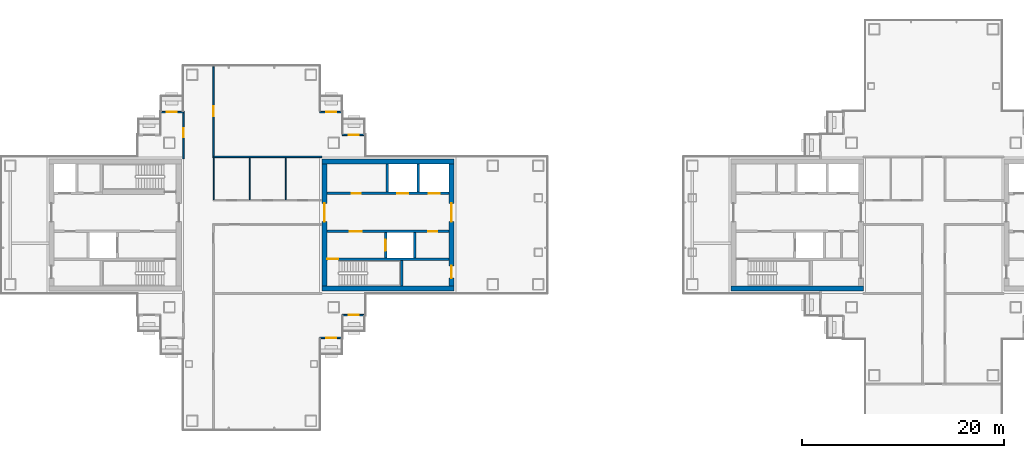
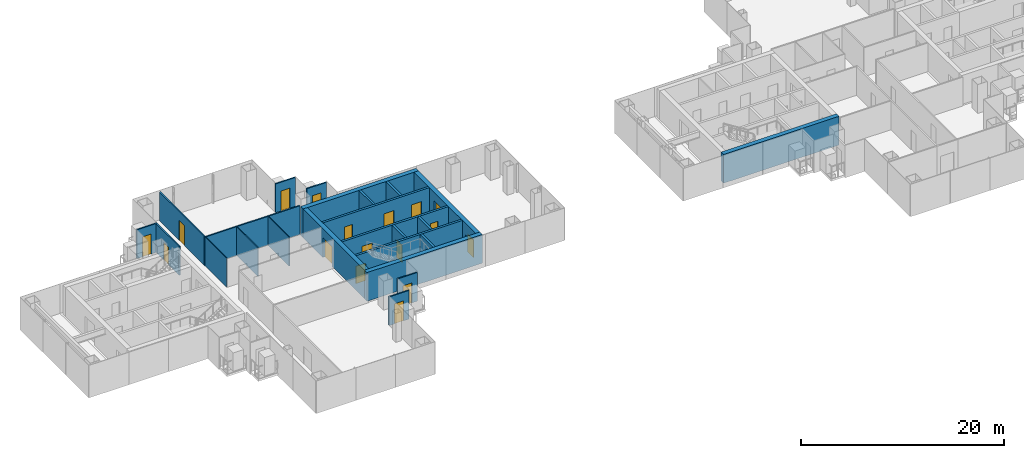
# One storey, part 10 of 17: 24 walls, 17 doors, 17 openings.
"""IFC4 building model written with IfcOpenShell, lengths in metres."""

from ifc_helpers import new_model, si_unit, direction, frame, frame_2d, origin, place, context, subcontext, project, spatial, rectangle, extrude, material, layer, layer_set, type_object, element, fill, save


model = new_model("IFC4")

# Units and contexts
model_context = context("Model", 3, precision=1e-05, world=origin(), true_north=direction((0.0, 1.0)))
body_context = subcontext(model_context, "Body", "Model", "MODEL_VIEW")
ifc_project = project(units=[si_unit("LENGTHUNIT", "METRE"), si_unit("AREAUNIT", "SQUARE_METRE"), si_unit("VOLUMEUNIT", "CUBIC_METRE"), si_unit("PLANEANGLEUNIT", "RADIAN"), si_unit("MASSUNIT", "GRAM", prefix="KILO")], contexts=[model_context])

# Site, building, storey
site_placement = place(None, origin())
site = spatial("IfcSite", under=ifc_project, at=site_placement, CompositionType="ELEMENT")
building_placement = place(site_placement, origin())
building = spatial("IfcBuilding", under=site, at=building_placement, Name="Shamsa Quay Exchange Towers", CompositionType="ELEMENT")
storey_placement = place(building_placement, frame((0.0, 0.0, 174.0)))
storey = spatial("IfcBuildingStorey", under=building, at=storey_placement, Name="L41", CompositionType="ELEMENT", Elevation=174.0)

# Wall, opening, door
ifc_material_1 = material(Name="Aluminium EN AW-6063 T6, black anodised, with black enamelled glass infill", Category="aluminium")
ifc_layer_1 = layer(ifc_material_1, 0.14990234375)
ifc_layer_set_1 = layer_set([ifc_layer_1], Name="BALCONY DOOR BAY WALL 150")
wall_type_1 = type_object("IfcWallType", Name="BALCONY DOOR BAY WALL 150", PredefinedType="SOLIDWALL", material=ifc_layer_set_1)
wall_1_placement = place(storey_placement, frame((-24.75, 8.925048828125, 0.0)))
wall_1 = element("IfcWall", 1, at=wall_1_placement, inside=storey, type_object=wall_type_1, Name="Door bay T1-PKEN L41", PredefinedType="SOLIDWALL", context=body_context, shape_type="SweptSolid", body=[
    extrude(rectangle(XDim=2.25, YDim=0.14990234375, at=frame_2d((1.125, 0.0))), origin(), (0.0, 0.0, 1.0), 3.449951171875),
])
opening_1_placement = place(wall_1_placement, frame((0.625, 0.0, 0.0)))
opening_1 = element("IfcOpeningElement", 2, at=opening_1_placement, cuts=wall_1, Name="Opening XD257", PredefinedType="OPENING", context=body_context, shape_type="SweptSolid", body=[
    extrude(rectangle(XDim=1.0, YDim=2.39990234375, at=frame_2d((0.5, 1.199951171875))), frame((0.0, 0.0849609375, 0.0), z_axis=(0.0, -1.0, 0.0), x_axis=(1.0, 0.0, 0.0)), (0.0, 0.0, 1.0), 0.169921875),
])
ifc_material_2 = material(Name="Aluminium EN AW-6063 T6, black anodised, with laminated glass leaf", Category="aluminium")
door_type_1 = type_object("IfcDoorType", Name="BALCONY DOOR 1000x2400", OperationType="SINGLE_SWING_LEFT", PredefinedType="DOOR", material=ifc_material_2)
door_1_placement = place(opening_1_placement, origin())
door_1 = element("IfcDoor", 3, at=door_1_placement, inside=storey, type_object=door_type_1, Name="Balcony door T1-PKEN L41", OperationType="SINGLE_SWING_RIGHT", OverallHeight=2.39990234375, OverallWidth=1.0, PredefinedType="DOOR", context=body_context, shape_type="SweptSolid", body=[
    extrude(rectangle(XDim=1.0, YDim=2.39990234375, at=frame_2d((0.5, 1.199951171875))), frame((0.0, 0.02490234375, 0.0), z_axis=(0.0, -1.0, 0.0), x_axis=(1.0, 0.0, 0.0)), (0.0, 0.0, 1.0), 0.050048828125),
])
fill(opening_1, door_1)

wall_2_placement = place(storey_placement, frame((-27.0, 11.175048828125, 0.0)))
wall_2 = element("IfcWall", 4, at=wall_2_placement, inside=storey, type_object=wall_type_1, Name="Door bay T1-PKEN L41", PredefinedType="SOLIDWALL", context=body_context, shape_type="SweptSolid", body=[
    extrude(rectangle(XDim=2.25, YDim=0.14990234375, at=frame_2d((1.125, 0.0))), origin(), (0.0, 0.0, 1.0), 3.449951171875),
])
opening_2_placement = place(wall_2_placement, frame((0.625, 0.0, 0.0)))
opening_2 = element("IfcOpeningElement", 5, at=opening_2_placement, cuts=wall_2, Name="Opening XD258", PredefinedType="OPENING", context=body_context, shape_type="SweptSolid", body=[
    extrude(rectangle(XDim=1.0, YDim=2.39990234375, at=frame_2d((0.5, 1.199951171875))), frame((0.0, 0.0849609375, 0.0), z_axis=(0.0, -1.0, 0.0), x_axis=(1.0, 0.0, 0.0)), (0.0, 0.0, 1.0), 0.169921875),
])
door_2_placement = place(opening_2_placement, origin())
door_2 = element("IfcDoor", 6, at=door_2_placement, inside=storey, type_object=door_type_1, Name="Balcony door T1-PKEN L41", OperationType="SINGLE_SWING_LEFT", OverallHeight=2.39990234375, OverallWidth=1.0, PredefinedType="DOOR", context=body_context, shape_type="SweptSolid", body=[
    extrude(rectangle(XDim=1.0, YDim=2.39990234375, at=frame_2d((0.5, 1.199951171875))), frame((0.0, 0.02490234375, 0.0), z_axis=(0.0, -1.0, 0.0), x_axis=(1.0, 0.0, 0.0)), (0.0, 0.0, 1.0), 0.050048828125),
])
fill(opening_2, door_2)

wall_3_placement = place(storey_placement, frame((-22.5, -8.925048828125, 0.0), z_axis=(0.0, 0.0, 1.0), x_axis=(-1.0, 0.0, 0.0)))
wall_3 = element("IfcWall", 7, at=wall_3_placement, inside=storey, type_object=wall_type_1, Name="Door bay T1-PKES L41", PredefinedType="SOLIDWALL", context=body_context, shape_type="SweptSolid", body=[
    extrude(rectangle(XDim=2.25, YDim=0.14990234375, at=frame_2d((1.125, 0.0))), origin(), (0.0, 0.0, 1.0), 3.449951171875),
])
opening_3_placement = place(wall_3_placement, frame((0.625, 0.0, 0.0)))
opening_3 = element("IfcOpeningElement", 8, at=opening_3_placement, cuts=wall_3, Name="Opening XD259", PredefinedType="OPENING", context=body_context, shape_type="SweptSolid", body=[
    extrude(rectangle(XDim=1.0, YDim=2.39990234375, at=frame_2d((0.5, 1.199951171875))), frame((0.0, 0.0849609375, 0.0), z_axis=(0.0, -1.0, 0.0), x_axis=(1.0, 0.0, 0.0)), (0.0, 0.0, 1.0), 0.169921875),
])
door_3_placement = place(opening_3_placement, origin())
door_3 = element("IfcDoor", 9, at=door_3_placement, inside=storey, type_object=door_type_1, Name="Balcony door T1-PKES L41", OperationType="SINGLE_SWING_RIGHT", OverallHeight=2.39990234375, OverallWidth=1.0, PredefinedType="DOOR", context=body_context, shape_type="SweptSolid", body=[
    extrude(rectangle(XDim=1.0, YDim=2.39990234375, at=frame_2d((0.5, 1.199951171875))), frame((0.0, 0.02490234375, 0.0), z_axis=(0.0, -1.0, 0.0), x_axis=(1.0, 0.0, 0.0)), (0.0, 0.0, 1.0), 0.050048828125),
])
fill(opening_3, door_3)

wall_4_placement = place(storey_placement, frame((-24.75, -11.175048828125, 0.0), z_axis=(0.0, 0.0, 1.0), x_axis=(-1.0, 0.0, 0.0)))
wall_4 = element("IfcWall", 10, at=wall_4_placement, inside=storey, type_object=wall_type_1, Name="Door bay T1-PKES L41", PredefinedType="SOLIDWALL", context=body_context, shape_type="SweptSolid", body=[
    extrude(rectangle(XDim=2.25, YDim=0.14990234375, at=frame_2d((1.125, 0.0))), origin(), (0.0, 0.0, 1.0), 3.449951171875),
])
opening_4_placement = place(wall_4_placement, frame((0.625, 0.0, 0.0)))
opening_4 = element("IfcOpeningElement", 11, at=opening_4_placement, cuts=wall_4, Name="Opening XD260", PredefinedType="OPENING", context=body_context, shape_type="SweptSolid", body=[
    extrude(rectangle(XDim=1.0, YDim=2.39990234375, at=frame_2d((0.5, 1.199951171875))), frame((0.0, 0.0849609375, 0.0), z_axis=(0.0, -1.0, 0.0), x_axis=(1.0, 0.0, 0.0)), (0.0, 0.0, 1.0), 0.169921875),
])
door_4_placement = place(opening_4_placement, origin())
door_4 = element("IfcDoor", 12, at=door_4_placement, inside=storey, type_object=door_type_1, Name="Balcony door T1-PKES L41", OperationType="SINGLE_SWING_LEFT", OverallHeight=2.39990234375, OverallWidth=1.0, PredefinedType="DOOR", context=body_context, shape_type="SweptSolid", body=[
    extrude(rectangle(XDim=1.0, YDim=2.39990234375, at=frame_2d((0.5, 1.199951171875))), frame((0.0, 0.02490234375, 0.0), z_axis=(0.0, -1.0, 0.0), x_axis=(1.0, 0.0, 0.0)), (0.0, 0.0, 1.0), 0.050048828125),
])
fill(opening_4, door_4)

wall_5_placement = place(storey_placement, frame((-42.75, 11.175048828125, 0.0)))
wall_5 = element("IfcWall", 13, at=wall_5_placement, inside=storey, type_object=wall_type_1, Name="Door bay T1-PKWN L41", PredefinedType="SOLIDWALL", context=body_context, shape_type="SweptSolid", body=[
    extrude(rectangle(XDim=2.25, YDim=0.14990234375, at=frame_2d((1.125, 0.0))), origin(), (0.0, 0.0, 1.0), 3.449951171875),
])
opening_5_placement = place(wall_5_placement, frame((0.625, 0.0, 0.0)))
opening_5 = element("IfcOpeningElement", 14, at=opening_5_placement, cuts=wall_5, Name="Opening XD261", PredefinedType="OPENING", context=body_context, shape_type="SweptSolid", body=[
    extrude(rectangle(XDim=1.0, YDim=2.39990234375, at=frame_2d((0.5, 1.199951171875))), frame((0.0, 0.0849609375, 0.0), z_axis=(0.0, -1.0, 0.0), x_axis=(1.0, 0.0, 0.0)), (0.0, 0.0, 1.0), 0.169921875),
])
door_5_placement = place(opening_5_placement, origin())
door_5 = element("IfcDoor", 15, at=door_5_placement, inside=storey, type_object=door_type_1, Name="Balcony door T1-PKWN L41", OperationType="SINGLE_SWING_LEFT", OverallHeight=2.39990234375, OverallWidth=1.0, PredefinedType="DOOR", context=body_context, shape_type="SweptSolid", body=[
    extrude(rectangle(XDim=1.0, YDim=2.39990234375, at=frame_2d((0.5, 1.199951171875))), frame((0.0, 0.02490234375, 0.0), z_axis=(0.0, -1.0, 0.0), x_axis=(1.0, 0.0, 0.0)), (0.0, 0.0, 1.0), 0.050048828125),
])
fill(opening_5, door_5)

# Walls
ifc_material_3 = material(Name="Concrete C60/75", Category="concrete")
ifc_layer_2 = layer(ifc_material_3, 0.5)
ifc_layer_set_2 = layer_set([ifc_layer_2], Name="CORE WALL 500 C60/75")
wall_type_2 = type_object("IfcWallType", Name="CORE WALL 500 C60/75", PredefinedType="SHEAR", material=ifc_layer_set_2)
for number, where, name in (
    (16, (-26.800048828125, -6.300048828125, 0.0), "Core wall T1A-R19-PS"),
    (17, (-26.800048828125, 6.300048828125, 0.0), "Core wall T1A-R19-PN"),
):
    element("IfcWall", number, at=place(storey_placement, frame(where)), inside=storey, type_object=wall_type_2, Name=name, PredefinedType="SHEAR", context=body_context, shape_type="SweptSolid", body=[
        extrude(rectangle(XDim=13.10009765625, YDim=0.5, at=frame_2d((6.550048828125, 0.0))), origin(), (0.0, 0.0, 1.0), 3.449951171875),
    ])

# Wall, opening, door
wall_6_placement = place(storey_placement, frame((-26.550048828125, 6.050048828125, 0.0), z_axis=(0.0, 0.0, 1.0), x_axis=(0.0, -1.0, 0.0)))
wall_6 = element("IfcWall", 18, at=wall_6_placement, inside=storey, type_object=wall_type_2, Name="Core wall T1A-R19-PF", PredefinedType="SHEAR", context=body_context, shape_type="SweptSolid", body=[
    extrude(rectangle(XDim=12.10009765625, YDim=0.5, at=frame_2d((6.050048828125, 0.0))), origin(), (0.0, 0.0, 1.0), 3.449951171875),
])
opening_6_placement = place(wall_6_placement, frame((3.89990234375, 0.0, 0.0)))
opening_6 = element("IfcOpeningElement", 19, at=opening_6_placement, cuts=wall_6, Name="Opening T1A-R19-LBD01", PredefinedType="OPENING", context=body_context, shape_type="SweptSolid", body=[
    extrude(rectangle(XDim=1.800048828125, YDim=2.39990234375, at=frame_2d((0.89990234375, 1.199951171875))), frame((0.0, 0.260009765625, 0.0), z_axis=(0.0, -1.0, 0.0), x_axis=(1.0, 0.0, 0.0)), (0.0, 0.0, 1.0), 0.52001953125),
])
ifc_material_4 = material(Name="Steel, fire rated", Category="steel")
door_type_2 = type_object("IfcDoorType", Name="LIFT LOBBY DOOR PAIR 1800", OperationType="DOUBLE_DOOR_SINGLE_SWING", PredefinedType="DOOR", material=ifc_material_4)
door_6_placement = place(opening_6_placement, origin())
door_6 = element("IfcDoor", 20, at=door_6_placement, inside=storey, type_object=door_type_2, Name="T1A-R19-LBD01", OperationType="DOUBLE_DOOR_SINGLE_SWING", OverallHeight=2.39990234375, OverallWidth=1.800048828125, PredefinedType="DOOR", context=body_context, shape_type="SweptSolid", body=[
    extrude(rectangle(XDim=1.800048828125, YDim=2.39990234375, at=frame_2d((0.89990234375, 1.199951171875))), frame((0.0, 0.02490234375, 0.0), z_axis=(0.0, -1.0, 0.0), x_axis=(1.0, 0.0, 0.0)), (0.0, 0.0, 1.0), 0.050048828125),
])
fill(opening_6, door_6)

# Wall, openings, doors
wall_7_placement = place(storey_placement, frame((-13.949951171875, 6.050048828125, 0.0), z_axis=(0.0, 0.0, 1.0), x_axis=(0.0, -1.0, 0.0)))
wall_7 = element("IfcWall", 21, at=wall_7_placement, inside=storey, type_object=wall_type_2, Name="Core wall T1A-R19-PB", PredefinedType="SHEAR", context=body_context, shape_type="SweptSolid", body=[
    extrude(rectangle(XDim=12.10009765625, YDim=0.5, at=frame_2d((6.050048828125, 0.0))), origin(), (0.0, 0.0, 1.0), 3.449951171875),
])
opening_7_placement = place(wall_7_placement, frame((10.10009765625, 0.0, 0.0)))
opening_7 = element("IfcOpeningElement", 22, at=opening_7_placement, cuts=wall_7, Name="Opening T1A-R19-RD02", PredefinedType="OPENING", context=body_context, shape_type="SweptSolid", body=[
    extrude(rectangle(XDim=1.199951171875, YDim=2.10009765625, at=frame_2d((0.60009765625, 1.050048828125))), frame((0.0, 0.260009765625, 0.0), z_axis=(0.0, -1.0, 0.0), x_axis=(1.0, 0.0, 0.0)), (0.0, 0.0, 1.0), 0.52001953125),
])
opening_8_placement = place(wall_7_placement, frame((3.89990234375, 0.0, 0.0)))
opening_8 = element("IfcOpeningElement", 23, at=opening_8_placement, cuts=wall_7, Name="Opening T1A-R19-LBD03", PredefinedType="OPENING", context=body_context, shape_type="SweptSolid", body=[
    extrude(rectangle(XDim=1.800048828125, YDim=2.39990234375, at=frame_2d((0.89990234375, 1.199951171875))), frame((0.0, 0.260009765625, 0.0), z_axis=(0.0, -1.0, 0.0), x_axis=(1.0, 0.0, 0.0)), (0.0, 0.0, 1.0), 0.52001953125),
])
door_7_placement = place(opening_8_placement, origin())
door_7 = element("IfcDoor", 24, at=door_7_placement, inside=storey, type_object=door_type_2, Name="T1A-R19-LBD03", OperationType="DOUBLE_DOOR_SINGLE_SWING", OverallHeight=2.39990234375, OverallWidth=1.800048828125, PredefinedType="DOOR", context=body_context, shape_type="SweptSolid", body=[
    extrude(rectangle(XDim=1.800048828125, YDim=2.39990234375, at=frame_2d((0.89990234375, 1.199951171875))), frame((0.0, 0.02490234375, 0.0), z_axis=(0.0, -1.0, 0.0), x_axis=(1.0, 0.0, 0.0)), (0.0, 0.0, 1.0), 0.050048828125),
])
fill(opening_8, door_7)
door_type_3 = type_object("IfcDoorType", Name="RISER ACCESS DOOR 1200", OperationType="SINGLE_SWING_LEFT", PredefinedType="DOOR", material=ifc_material_4)
door_8_placement = place(opening_7_placement, origin())
door_8 = element("IfcDoor", 25, at=door_8_placement, inside=storey, type_object=door_type_3, Name="T1A-R19-RD02", OperationType="SINGLE_SWING_RIGHT", OverallHeight=2.10009765625, OverallWidth=1.199951171875, PredefinedType="DOOR", context=body_context, shape_type="SweptSolid", body=[
    extrude(rectangle(XDim=1.199951171875, YDim=2.10009765625, at=frame_2d((0.60009765625, 1.050048828125))), frame((0.0, 0.02490234375, 0.0), z_axis=(0.0, -1.0, 0.0), x_axis=(1.0, 0.0, 0.0)), (0.0, 0.0, 1.0), 0.050048828125),
])
fill(opening_7, door_8)

# Walls
wall_8_placement = place(storey_placement, frame((13.699951171875, -6.300048828125, 0.0)))
element("IfcWall", 26, at=wall_8_placement, inside=storey, type_object=wall_type_2, Name="Core wall T2A-R19-PS", PredefinedType="SHEAR", context=body_context, shape_type="SweptSolid", body=[
    extrude(rectangle(XDim=13.10009765625, YDim=0.5, at=frame_2d((6.550048828125, 0.0))), origin(), (0.0, 0.0, 1.0), 3.449951171875),
])
ifc_material_5 = material(Name="Gypsum board partition on metal studs")
ifc_layer_3 = layer(ifc_material_5, 0.10009765625)
ifc_layer_set_3 = layer_set([ifc_layer_3], Name="Partition 100 mm NOT RATED")
wall_type_3 = type_object("IfcWallType", Name="Partition 100 mm NOT RATED", PredefinedType="PARTITIONING", material=ifc_layer_set_3)
for number, where, z_axis, x_axis, name in (
    (27, (-37.5, 6.675048828125, 0.0), (0.0, 0.0, 1.0), (0.0, -1.0, 0.0), "Partition T1-R19-W03"),
    (28, (-33.9375, 2.500244140625, 0.0), (0.0, 0.0, 1.0), (0.0, 1.0, 0.0), "Partition T1-R19-W10"),
    (29, (-30.375, 2.500244140625, 0.0), (0.0, 0.0, 1.0), (0.0, 1.0, 0.0), "Partition T1-R19-W11"),
):
    element("IfcWall", number, at=place(storey_placement, frame(where, z_axis=z_axis, x_axis=x_axis)), inside=storey, type_object=wall_type_3, Name=name, PredefinedType="PARTITIONING", context=body_context, shape_type="SweptSolid", body=[
        extrude(rectangle(XDim=4.1748046875, YDim=0.10009765625, at=frame_2d((2.08740234375, 0.0))), origin(), (0.0, 0.0, 1.0), 3.449951171875),
    ])

# Wall, opening, door
ifc_layer_4 = layer(ifc_material_5, 0.14990234375)
ifc_layer_set_4 = layer_set([ifc_layer_4], Name="Partition 150 mm EI 60")
wall_type_4 = type_object("IfcWallType", Name="Partition 150 mm EI 60", PredefinedType="PARTITIONING", material=ifc_layer_set_4)
wall_9_placement = place(storey_placement, frame((-37.5, 15.655029296875, 0.0), z_axis=(0.0, 0.0, 1.0), x_axis=(0.0, -1.0, 0.0)))
wall_9 = element("IfcWall", 30, at=wall_9_placement, inside=storey, type_object=wall_type_4, Name="Partition T1-R19-W01", PredefinedType="PARTITIONING", context=body_context, shape_type="SweptSolid", body=[
    extrude(rectangle(XDim=8.830078125, YDim=0.14990234375, at=frame_2d((4.4150390625, 0.0))), origin(), (0.0, 0.0, 1.0), 3.449951171875),
])
opening_9_placement = place(wall_9_placement, frame((3.905029296875, 0.0, 0.0)))
opening_9 = element("IfcOpeningElement", 31, at=opening_9_placement, cuts=wall_9, Name="Opening T1-R19-D09", PredefinedType="OPENING", context=body_context, shape_type="SweptSolid", body=[
    extrude(rectangle(XDim=1.0, YDim=2.39990234375, at=frame_2d((0.5, 1.199951171875))), frame((0.0, 0.0849609375, 0.0), z_axis=(0.0, -1.0, 0.0), x_axis=(1.0, 0.0, 0.0)), (0.0, 0.0, 1.0), 0.169921875),
])
ifc_material_6 = material(Name="Timber door leaf in a metal frame", Category="wood")
door_type_4 = type_object("IfcDoorType", Name="Door 1000x2400 FD30S", OperationType="NOTDEFINED", PredefinedType="DOOR", material=ifc_material_6)
door_9_placement = place(opening_9_placement, origin())
door_9 = element("IfcDoor", 32, at=door_9_placement, inside=storey, type_object=door_type_4, Name="Door T1-R19-D09", OperationType="SINGLE_SWING_RIGHT", OverallHeight=2.39990234375, OverallWidth=1.0, PredefinedType="DOOR", context=body_context, shape_type="SweptSolid", body=[
    extrude(rectangle(XDim=1.0, YDim=2.39990234375, at=frame_2d((0.5, 1.199951171875))), frame((0.0, 0.02490234375, 0.0), z_axis=(0.0, -1.0, 0.0), x_axis=(1.0, 0.0, 0.0)), (0.0, 0.0, 1.0), 0.050048828125),
])
fill(opening_9, door_9)

wall_10_placement = place(storey_placement, frame((-40.5, 6.550048828125, 0.0), z_axis=(0.0, 0.0, 1.0), x_axis=(0.0, 1.0, 0.0)))
wall_10 = element("IfcWall", 33, at=wall_10_placement, inside=storey, type_object=wall_type_4, Name="Partition T1-R19-W08", PredefinedType="PARTITIONING", context=body_context, shape_type="SweptSolid", body=[
    extrude(rectangle(XDim=4.699951171875, YDim=0.14990234375, at=frame_2d((2.35009765625, 0.0))), origin(), (0.0, 0.0, 1.0), 3.449951171875),
])
opening_10_placement = place(wall_10_placement, frame((2.14990234375, 0.0, 0.0)))
opening_10 = element("IfcOpeningElement", 34, at=opening_10_placement, cuts=wall_10, Name="Opening T1-R19-D02", PredefinedType="OPENING", context=body_context, shape_type="SweptSolid", body=[
    extrude(rectangle(XDim=0.89990234375, YDim=2.10009765625, at=frame_2d((0.449951171875, 1.050048828125))), frame((0.0, 0.0849609375, 0.0), z_axis=(0.0, -1.0, 0.0), x_axis=(1.0, 0.0, 0.0)), (0.0, 0.0, 1.0), 0.169921875),
])
door_type_5 = type_object("IfcDoorType", Name="Door 900x2100 FD30S", OperationType="NOTDEFINED", PredefinedType="DOOR", material=ifc_material_6)
door_10_placement = place(opening_10_placement, origin())
door_10 = element("IfcDoor", 35, at=door_10_placement, inside=storey, type_object=door_type_5, Name="Door T1-R19-D02", OperationType="SINGLE_SWING_RIGHT", OverallHeight=2.10009765625, OverallWidth=0.89990234375, PredefinedType="DOOR", context=body_context, shape_type="SweptSolid", body=[
    extrude(rectangle(XDim=0.89990234375, YDim=2.10009765625, at=frame_2d((0.449951171875, 1.050048828125))), frame((0.0, 0.02490234375, 0.0), z_axis=(0.0, -1.0, 0.0), x_axis=(1.0, 0.0, 0.0)), (0.0, 0.0, 1.0), 0.050048828125),
])
fill(opening_10, door_10)

# Wall
wall_11_placement = place(storey_placement, frame((-37.574951171875, 6.75, 0.0)))
element("IfcWall", 36, at=wall_11_placement, inside=storey, type_object=wall_type_4, Name="Partition T1-R19-W09", PredefinedType="PARTITIONING", context=body_context, shape_type="SweptSolid", body=[
    extrude(rectangle(XDim=10.77490234375, YDim=0.14990234375, at=frame_2d((5.387451171875, 0.0))), origin(), (0.0, 0.0, 1.0), 3.449951171875),
])

# Wall, opening, door
ifc_material_7 = material(Name="Concrete C50/60", Category="concrete")
ifc_layer_5 = layer(ifc_material_7, 0.25)
ifc_layer_set_5 = layer_set([ifc_layer_5], Name="SHAFT WALL 250 C50/60")
wall_type_5 = type_object("IfcWallType", Name="SHAFT WALL 250 C50/60", PredefinedType="SHEAR", material=ifc_layer_set_5)
wall_12_placement = place(storey_placement, frame((-14.199951171875, -3.375, 0.0), z_axis=(0.0, 0.0, 1.0), x_axis=(-1.0, 0.0, 0.0)))
wall_12 = element("IfcWall", 37, at=wall_12_placement, inside=storey, type_object=wall_type_5, Name="Shaft wall T1A-R19-STL", PredefinedType="SHEAR", context=body_context, shape_type="SweptSolid", body=[
    extrude(rectangle(XDim=12.10009765625, YDim=0.25, at=frame_2d((6.050048828125, 0.0))), origin(), (0.0, 0.0, 1.0), 3.449951171875),
])
opening_11_placement = place(wall_12_placement, frame((10.949951171875, 0.0, 0.0)))
opening_11 = element("IfcOpeningElement", 38, at=opening_11_placement, cuts=wall_12, Name="Opening T1A-R19-SD04", PredefinedType="OPENING", context=body_context, shape_type="SweptSolid", body=[
    extrude(rectangle(XDim=1.10009765625, YDim=2.10009765625, at=frame_2d((0.550048828125, 1.050048828125))), frame((0.0, 0.135009765625, 0.0), z_axis=(0.0, -1.0, 0.0), x_axis=(1.0, 0.0, 0.0)), (0.0, 0.0, 1.0), 0.27001953125),
])
door_type_6 = type_object("IfcDoorType", Name="STAIR DOOR 1100", OperationType="SINGLE_SWING_LEFT", PredefinedType="DOOR", material=ifc_material_4)
door_11_placement = place(opening_11_placement, origin())
door_11 = element("IfcDoor", 39, at=door_11_placement, inside=storey, type_object=door_type_6, Name="T1A-R19-SD04", OperationType="SINGLE_SWING_RIGHT", OverallHeight=2.10009765625, OverallWidth=1.10009765625, PredefinedType="DOOR", context=body_context, shape_type="SweptSolid", body=[
    extrude(rectangle(XDim=1.10009765625, YDim=2.10009765625, at=frame_2d((0.550048828125, 1.050048828125))), frame((0.0, 0.02490234375, 0.0), z_axis=(0.0, -1.0, 0.0), x_axis=(1.0, 0.0, 0.0)), (0.0, 0.0, 1.0), 0.050048828125),
])
fill(opening_11, door_11)

# Wall
wall_13_placement = place(storey_placement, frame((-18.875, -6.050048828125, 0.0), z_axis=(0.0, 0.0, 1.0), x_axis=(0.0, 1.0, 0.0)))
element("IfcWall", 40, at=wall_13_placement, inside=storey, type_object=wall_type_5, Name="Shaft wall T1A-R19-STF", PredefinedType="SHEAR", context=body_context, shape_type="SweptSolid", body=[
    extrude(rectangle(XDim=2.550048828125, YDim=0.25, at=frame_2d((1.27490234375, 0.0))), origin(), (0.0, 0.0, 1.0), 3.449951171875),
])

# Wall, openings, doors
wall_14_placement = place(storey_placement, frame((-14.199951171875, -0.625, 0.0), z_axis=(0.0, 0.0, 1.0), x_axis=(-1.0, 0.0, 0.0)))
wall_14 = element("IfcWall", 41, at=wall_14_placement, inside=storey, type_object=wall_type_5, Name="Shaft wall T1A-R19-B", PredefinedType="SHEAR", context=body_context, shape_type="SweptSolid", body=[
    extrude(rectangle(XDim=12.10009765625, YDim=0.25, at=frame_2d((6.050048828125, 0.0))), origin(), (0.0, 0.0, 1.0), 3.449951171875),
])
opening_12_placement = place(wall_14_placement, frame((8.64990234375, 0.0, 0.0)))
opening_12 = element("IfcOpeningElement", 42, at=opening_12_placement, cuts=wall_14, Name="Opening T1A-R19-FD05", PredefinedType="OPENING", context=body_context, shape_type="SweptSolid", body=[
    extrude(rectangle(XDim=1.199951171875, YDim=2.10009765625, at=frame_2d((0.60009765625, 1.050048828125))), frame((0.0, 0.135009765625, 0.0), z_axis=(0.0, -1.0, 0.0), x_axis=(1.0, 0.0, 0.0)), (0.0, 0.0, 1.0), 0.27001953125),
])
opening_13_placement = place(wall_14_placement, frame((1.175048828125, 0.0, 0.0)))
opening_13 = element("IfcOpeningElement", 43, at=opening_13_placement, cuts=wall_14, Name="Opening T1A-R19-SV06", PredefinedType="OPENING", context=body_context, shape_type="SweptSolid", body=[
    extrude(rectangle(XDim=0.89990234375, YDim=2.10009765625, at=frame_2d((0.449951171875, 1.050048828125))), frame((0.0, 0.135009765625, 0.0), z_axis=(0.0, -1.0, 0.0), x_axis=(1.0, 0.0, 0.0)), (0.0, 0.0, 1.0), 0.27001953125),
])
door_type_7 = type_object("IfcDoorType", Name="FIRE SERVICE LOBBY DOOR 1200", OperationType="SINGLE_SWING_LEFT", PredefinedType="DOOR", material=ifc_material_4)
door_12_placement = place(opening_12_placement, origin())
door_12 = element("IfcDoor", 44, at=door_12_placement, inside=storey, type_object=door_type_7, Name="T1A-R19-FD05", OperationType="SINGLE_SWING_RIGHT", OverallHeight=2.10009765625, OverallWidth=1.199951171875, PredefinedType="DOOR", context=body_context, shape_type="SweptSolid", body=[
    extrude(rectangle(XDim=1.199951171875, YDim=2.10009765625, at=frame_2d((0.60009765625, 1.050048828125))), frame((0.0, 0.02490234375, 0.0), z_axis=(0.0, -1.0, 0.0), x_axis=(1.0, 0.0, 0.0)), (0.0, 0.0, 1.0), 0.050048828125),
])
fill(opening_12, door_12)
door_type_8 = type_object("IfcDoorType", Name="SERVICE ROOM DOOR 900", OperationType="SINGLE_SWING_LEFT", PredefinedType="DOOR", material=ifc_material_4)
door_13_placement = place(opening_13_placement, origin())
door_13 = element("IfcDoor", 45, at=door_13_placement, inside=storey, type_object=door_type_8, Name="T1A-R19-SV06", OperationType="SINGLE_SWING_LEFT", OverallHeight=2.10009765625, OverallWidth=0.89990234375, PredefinedType="DOOR", context=body_context, shape_type="SweptSolid", body=[
    extrude(rectangle(XDim=0.89990234375, YDim=2.10009765625, at=frame_2d((0.449951171875, 1.050048828125))), frame((0.0, 0.02490234375, 0.0), z_axis=(0.0, -1.0, 0.0), x_axis=(1.0, 0.0, 0.0)), (0.0, 0.0, 1.0), 0.050048828125),
])
fill(opening_13, door_13)

# Wall, opening, door
wall_15_placement = place(storey_placement, frame((-20.47509765625, -3.25, 0.0), z_axis=(0.0, 0.0, 1.0), x_axis=(0.0, 1.0, 0.0)))
wall_15 = element("IfcWall", 46, at=wall_15_placement, inside=storey, type_object=wall_type_5, Name="Shaft wall T1A-R19-FFF", PredefinedType="SHEAR", context=body_context, shape_type="SweptSolid", body=[
    extrude(rectangle(XDim=2.5, YDim=0.25, at=frame_2d((1.25, 0.0))), origin(), (0.0, 0.0, 1.0), 3.449951171875),
])
opening_14_placement = place(wall_15_placement, frame((0.699951171875, 0.0, 0.0)))
opening_14 = element("IfcOpeningElement", 47, at=opening_14_placement, cuts=wall_15, Name="Opening T1A-R19-LDF07", PredefinedType="OPENING", context=body_context, shape_type="SweptSolid", body=[
    extrude(rectangle(XDim=1.10009765625, YDim=2.10009765625, at=frame_2d((0.550048828125, 1.050048828125))), frame((0.0, 0.135009765625, 0.0), z_axis=(0.0, -1.0, 0.0), x_axis=(1.0, 0.0, 0.0)), (0.0, 0.0, 1.0), 0.27001953125),
])
door_type_9 = type_object("IfcDoorType", Name="FIRE SERVICE LANDING DOOR 1100", OperationType="SLIDING_TO_LEFT", PredefinedType="DOOR", material=ifc_material_4)
door_14_placement = place(opening_14_placement, origin())
door_14 = element("IfcDoor", 48, at=door_14_placement, inside=storey, type_object=door_type_9, Name="T1A-R19-LDF07", OperationType="SLIDING_TO_LEFT", OverallHeight=2.10009765625, OverallWidth=1.10009765625, PredefinedType="DOOR", context=body_context, shape_type="SweptSolid", body=[
    extrude(rectangle(XDim=1.10009765625, YDim=2.10009765625, at=frame_2d((0.550048828125, 1.050048828125))), frame((0.0, 0.02490234375, 0.0), z_axis=(0.0, -1.0, 0.0), x_axis=(1.0, 0.0, 0.0)), (0.0, 0.0, 1.0), 0.050048828125),
])
fill(opening_14, door_14)

# Wall
wall_16_placement = place(storey_placement, frame((-17.574951171875, -3.25, 0.0), z_axis=(0.0, 0.0, 1.0), x_axis=(0.0, 1.0, 0.0)))
element("IfcWall", 49, at=wall_16_placement, inside=storey, type_object=wall_type_5, Name="Shaft wall T1A-R19-FFB", PredefinedType="SHEAR", context=body_context, shape_type="SweptSolid", body=[
    extrude(rectangle(XDim=2.5, YDim=0.25, at=frame_2d((1.25, 0.0))), origin(), (0.0, 0.0, 1.0), 3.449951171875),
])

# Wall, openings, doors
wall_17_placement = place(storey_placement, frame((-26.300048828125, 3.125, 0.0)))
wall_17 = element("IfcWall", 50, at=wall_17_placement, inside=storey, type_object=wall_type_5, Name="Shaft wall T1A-R19-N", PredefinedType="SHEAR", context=body_context, shape_type="SweptSolid", body=[
    extrude(rectangle(XDim=12.10009765625, YDim=0.25, at=frame_2d((6.050048828125, 0.0))), origin(), (0.0, 0.0, 1.0), 3.449951171875),
])
opening_15_placement = place(wall_17_placement, frame((6.949951171875, 0.0, 0.0)))
opening_15 = element("IfcOpeningElement", 51, at=opening_15_placement, cuts=wall_17, Name="Opening T1A-R19-LD08", PredefinedType="OPENING", context=body_context, shape_type="SweptSolid", body=[
    extrude(rectangle(XDim=1.10009765625, YDim=2.10009765625, at=frame_2d((0.550048828125, 1.050048828125))), frame((0.0, 0.135009765625, 0.0), z_axis=(0.0, -1.0, 0.0), x_axis=(1.0, 0.0, 0.0)), (0.0, 0.0, 1.0), 0.27001953125),
])
opening_16_placement = place(wall_17_placement, frame((10.074951171875, 0.0, 0.0)))
opening_16 = element("IfcOpeningElement", 52, at=opening_16_placement, cuts=wall_17, Name="Opening T1A-R19-LD09", PredefinedType="OPENING", context=body_context, shape_type="SweptSolid", body=[
    extrude(rectangle(XDim=1.10009765625, YDim=2.10009765625, at=frame_2d((0.550048828125, 1.050048828125))), frame((0.0, 0.135009765625, 0.0), z_axis=(0.0, -1.0, 0.0), x_axis=(1.0, 0.0, 0.0)), (0.0, 0.0, 1.0), 0.27001953125),
])
opening_17_placement = place(wall_17_placement, frame((2.47509765625, 0.0, 0.0)))
opening_17 = element("IfcOpeningElement", 53, at=opening_17_placement, cuts=wall_17, Name="Opening T1A-R19-SV10", PredefinedType="OPENING", context=body_context, shape_type="SweptSolid", body=[
    extrude(rectangle(XDim=0.89990234375, YDim=2.10009765625, at=frame_2d((0.449951171875, 1.050048828125))), frame((0.0, 0.135009765625, 0.0), z_axis=(0.0, -1.0, 0.0), x_axis=(1.0, 0.0, 0.0)), (0.0, 0.0, 1.0), 0.27001953125),
])
door_type_10 = type_object("IfcDoorType", Name="LANDING DOOR 1100", OperationType="SLIDING_TO_LEFT", PredefinedType="DOOR", material=ifc_material_4)
door_15_placement = place(opening_15_placement, origin())
door_15 = element("IfcDoor", 54, at=door_15_placement, inside=storey, type_object=door_type_10, Name="T1A-R19-LD08", OperationType="SLIDING_TO_LEFT", OverallHeight=2.10009765625, OverallWidth=1.10009765625, PredefinedType="DOOR", context=body_context, shape_type="SweptSolid", body=[
    extrude(rectangle(XDim=1.10009765625, YDim=2.10009765625, at=frame_2d((0.550048828125, 1.050048828125))), frame((0.0, 0.02490234375, 0.0), z_axis=(0.0, -1.0, 0.0), x_axis=(1.0, 0.0, 0.0)), (0.0, 0.0, 1.0), 0.050048828125),
])
fill(opening_15, door_15)
door_16_placement = place(opening_16_placement, origin())
door_16 = element("IfcDoor", 55, at=door_16_placement, inside=storey, type_object=door_type_10, Name="T1A-R19-LD09", OperationType="SLIDING_TO_LEFT", OverallHeight=2.10009765625, OverallWidth=1.10009765625, PredefinedType="DOOR", context=body_context, shape_type="SweptSolid", body=[
    extrude(rectangle(XDim=1.10009765625, YDim=2.10009765625, at=frame_2d((0.550048828125, 1.050048828125))), frame((0.0, 0.02490234375, 0.0), z_axis=(0.0, -1.0, 0.0), x_axis=(1.0, 0.0, 0.0)), (0.0, 0.0, 1.0), 0.050048828125),
])
fill(opening_16, door_16)
door_17_placement = place(opening_17_placement, origin())
door_17 = element("IfcDoor", 56, at=door_17_placement, inside=storey, type_object=door_type_8, Name="T1A-R19-SV10", OperationType="SINGLE_SWING_LEFT", OverallHeight=2.10009765625, OverallWidth=0.89990234375, PredefinedType="DOOR", context=body_context, shape_type="SweptSolid", body=[
    extrude(rectangle(XDim=0.89990234375, YDim=2.10009765625, at=frame_2d((0.449951171875, 1.050048828125))), frame((0.0, 0.02490234375, 0.0), z_axis=(0.0, -1.0, 0.0), x_axis=(1.0, 0.0, 0.0)), (0.0, 0.0, 1.0), 0.050048828125),
])
fill(opening_17, door_17)

# Walls
for number, where, z_axis, x_axis, name in (
    (57, (-20.324951171875, 3.25, 0.0), (0.0, 0.0, 1.0), (0.0, 1.0, 0.0), "Shaft wall T1A-R19-D1"),
    (58, (-17.27490234375, 3.25, 0.0), (0.0, 0.0, 1.0), (0.0, 1.0, 0.0), "Shaft wall T1A-R19-D2"),
):
    element("IfcWall", number, at=place(storey_placement, frame(where, z_axis=z_axis, x_axis=x_axis)), inside=storey, type_object=wall_type_5, Name=name, PredefinedType="SHEAR", context=body_context, shape_type="SweptSolid", body=[
        extrude(rectangle(XDim=2.800048828125, YDim=0.25, at=frame_2d((1.39990234375, 0.0))), origin(), (0.0, 0.0, 1.0), 3.449951171875),
    ])

save(model, "model.ifc")
